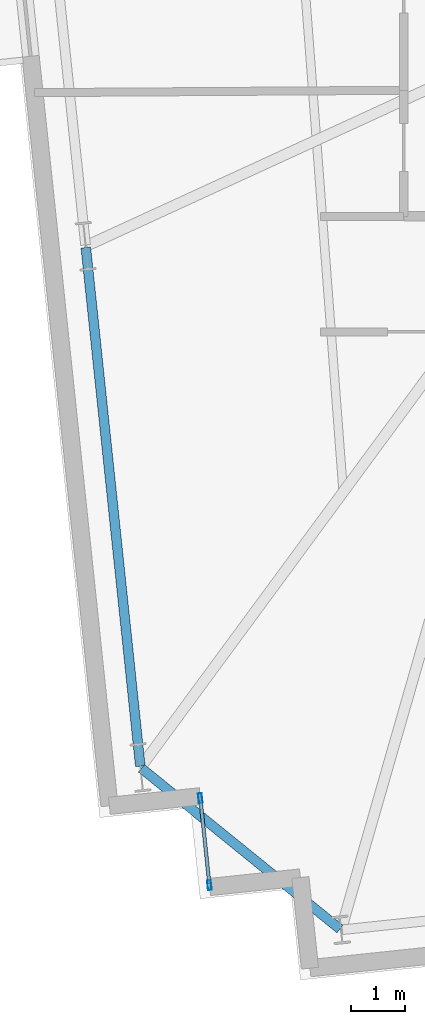
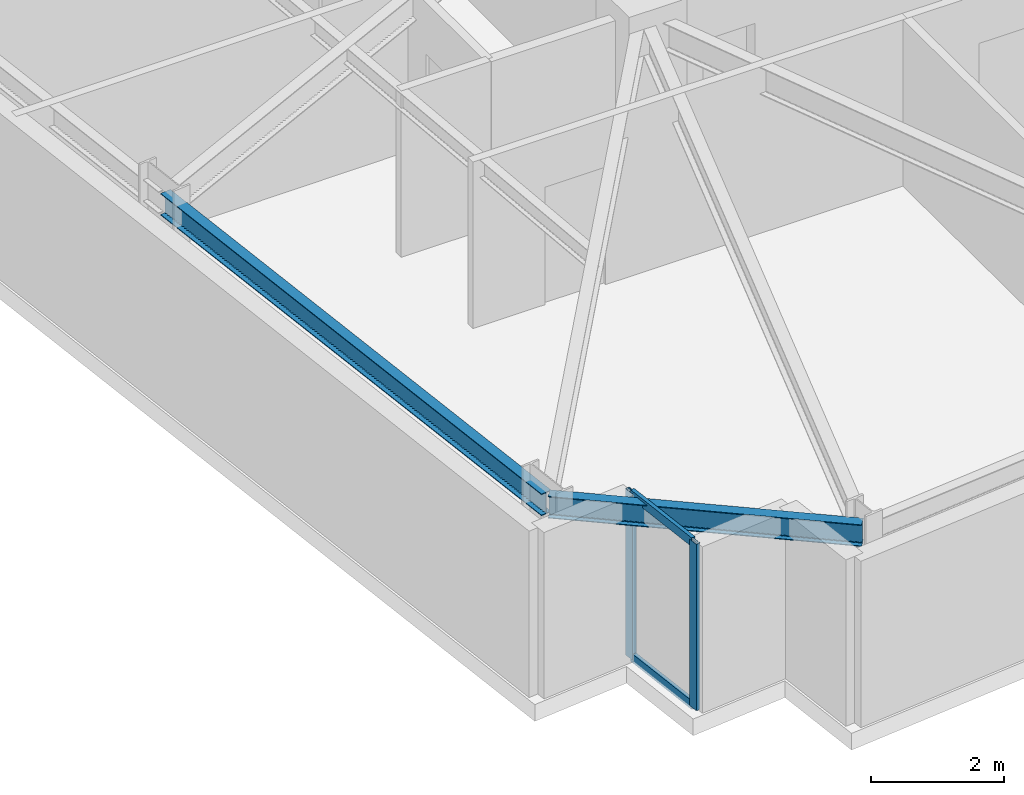
# One storey, part 4 of 22: 4 members, 2 beams, 1 element without a shape of its own.
"""IFC4 building model written with IfcOpenShell, lengths in metres."""

from ifc_helpers import new_model, si_unit, direction, frame, origin, origin_2d, place, context, subcontext, project, spatial, hollow_rectangle, i_section, extrude, material, layer, layer_set, material_profile, profile_set, type_object, element, aggregate, save


model = new_model("IFC4")

# Units and contexts
model_context = context("Model", 3, precision=1e-05, world=origin(), true_north=direction((0.0, 1.0)))
body_context = subcontext(model_context, "Body", "Model", "MODEL_VIEW")
ifc_project = project(units=[si_unit("LENGTHUNIT", "METRE"), si_unit("AREAUNIT", "SQUARE_METRE"), si_unit("VOLUMEUNIT", "CUBIC_METRE"), si_unit("PLANEANGLEUNIT", "RADIAN"), si_unit("MASSUNIT", "GRAM", prefix="KILO")], contexts=[model_context])

# Site, building, storey
site_placement = place(None, origin())
site = spatial("IfcSite", under=ifc_project, at=site_placement, CompositionType="ELEMENT")
building_placement = place(site_placement, origin())
building = spatial("IfcBuilding", under=site, at=building_placement, Name="Qobustan Lattice House", CompositionType="ELEMENT")
storey_placement = place(building_placement, frame((0.0, 0.0, 99.10009765625)))
storey = spatial("IfcBuildingStorey", under=building, at=storey_placement, Name="L27", CompositionType="ELEMENT", Elevation=99.10009765625)

# Beams
ifc_material_1 = material(Name="Steel S355", Category="steel")
ifc_material_profile_1 = material_profile(ifc_material_1, i_section(OverallWidth=0.179931640625, OverallDepth=0.39990234375, WebThickness=0.008544921875, FlangeThickness=0.013427734375, FilletRadius=0.02099609375, at=origin_2d()), Name="IPE400")
ifc_profile_set_1 = profile_set([ifc_material_profile_1], Name="Steel S355")
beam_type = type_object("IfcBeamType", Name="BM-SPD-IPE400", PredefinedType="SPANDREL", material=ifc_profile_set_1)
beam_1_placement = place(storey_placement, frame((-27.37451171875, -6.180908203125, 2.844970703125), z_axis=(0.104527826257, -0.994521962321, 0.0), x_axis=(0.994521962321, 0.104527826257, 0.0)))
element("IfcBeam", 1, at=beam_1_placement, inside=storey, type_object=beam_type, Name="L27 perimeter spandrel W3-W4", PredefinedType="SPANDREL", context=body_context, shape_type="SweptSolid", body=[
    extrude(i_section(OverallWidth=0.179931640625, OverallDepth=0.39990234375, WebThickness=0.008544921875, FlangeThickness=0.013427734375, FilletRadius=0.02099609375, at=origin_2d()), origin(), (0.0, 0.0, 1.0), 9.71630859375),
])
beam_2_placement = place(storey_placement, frame((-26.3369140625, -15.884765625, 2.844970703125), z_axis=(0.777140911545, -0.629326627121, 0.0), x_axis=(0.629326627121, 0.777140911545, 0.0)))
element("IfcBeam", 2, at=beam_2_placement, inside=storey, type_object=beam_type, Name="L27 perimeter spandrel W4-S1", PredefinedType="SPANDREL", context=body_context, shape_type="SweptSolid", body=[
    extrude(i_section(OverallWidth=0.179931640625, OverallDepth=0.39990234375, WebThickness=0.008544921875, FlangeThickness=0.013427734375, FilletRadius=0.02099609375, at=origin_2d()), origin(), (0.0, 0.0, 1.0), 4.758544921875),
])

# Curtain wall, members
ifc_material_2 = material(Name="Anodised aluminium and low-E glazing", Category="aluminium")
ifc_layer = layer(ifc_material_2, 0.219970703125)
ifc_layer_set = layer_set([ifc_layer], Name="Anodised aluminium and low-E glazing")
curtain_wall_type = type_object("IfcCurtainWallType", Name="CW-FAC-01", PredefinedType="USERDEFINED", material=ifc_layer_set)
curtain_wall_placement = place(storey_placement, origin())
curtain_wall = element("IfcCurtainWall", 3, at=curtain_wall_placement, inside=storey, type_object=curtain_wall_type, Name="L27 serrated corner faceted glazing 3", ObjectType="CURTAIN WALL", PredefinedType="USERDEFINED")
ifc_material_3 = material(Name="Anodised aluminium EN AW-6063 T6", Category="aluminium")
ifc_material_profile_2 = material_profile(ifc_material_3, hollow_rectangle(XDim=0.070068359375, YDim=0.179931640625, WallThickness=0.00439453125, at=origin_2d()), Name="CWM-180x70")
ifc_profile_set_2 = profile_set([ifc_material_profile_2], Name="Anodised aluminium EN AW-6063 T6")
member_type_1 = type_object("IfcMemberType", Name="CWM-STD-180", PredefinedType="MULLION", material=ifc_profile_set_2)
member_1_placement = place(storey_placement, frame((-25.070068359375, -18.0615234375, 0.0), z_axis=(0.0, 0.0, 1.0), x_axis=(-0.994521878892, -0.104528620025, 0.0)))
member_1 = element("IfcMember", 4, at=member_1_placement, type_object=member_type_1, Name="CW-F1 mullion 1", PredefinedType="MULLION", context=body_context, shape_type="SweptSolid", body=[
    extrude(hollow_rectangle(XDim=0.070068359375, YDim=0.179931640625, WallThickness=0.00439453125, at=origin_2d()), origin(), (0.0, 0.0, 1.0), 3.044921875),
])
member_2_placement = place(storey_placement, frame((-25.240234375, -16.4404296875, 0.0), z_axis=(0.0, 0.0, 1.0), x_axis=(-0.994521878892, -0.104528620025, 0.0)))
member_2 = element("IfcMember", 5, at=member_2_placement, type_object=member_type_1, Name="CW-F1 mullion 2", PredefinedType="MULLION", context=body_context, shape_type="SweptSolid", body=[
    extrude(hollow_rectangle(XDim=0.070068359375, YDim=0.179931640625, WallThickness=0.00439453125, at=origin_2d()), origin(), (0.0, 0.0, 1.0), 3.044921875),
])
ifc_material_4 = material(Name="Anodised aluminium EN AW-6063 T6", Category="aluminium")
ifc_material_profile_3 = material_profile(ifc_material_4, hollow_rectangle(XDim=0.06494140625, YDim=0.159912109375, WallThickness=0.00390625, at=origin_2d()), Name="CWT-160x65")
ifc_profile_set_3 = profile_set([ifc_material_profile_3], Name="Anodised aluminium EN AW-6063 T6")
member_type_2 = type_object("IfcMemberType", Name="CWT-HOR-160", PredefinedType="USERDEFINED", material=ifc_profile_set_3)
member_3_placement = place(storey_placement, frame((-25.07373046875, -18.02685546875, 0.032470703125), z_axis=(-0.104383362594, 0.994537135362, 0.0), x_axis=(-0.994537135362, -0.104383362594, 0.0)))
member_3 = element("IfcMember", 6, at=member_3_placement, type_object=member_type_2, Name="CW-F1 transom 1.1", ObjectType="TRANSOM", PredefinedType="USERDEFINED", context=body_context, shape_type="SweptSolid", body=[
    extrude(hollow_rectangle(XDim=0.06494140625, YDim=0.159912109375, WallThickness=0.00390625, at=origin_2d()), origin(), (0.0, 0.0, 1.0), 1.56005859375),
])
member_4_placement = place(storey_placement, frame((-25.07373046875, -18.02685546875, 3.012451171875), z_axis=(-0.104383362594, 0.994537135362, 0.0), x_axis=(-0.994537135362, -0.104383362594, 0.0)))
member_4 = element("IfcMember", 7, at=member_4_placement, type_object=member_type_2, Name="CW-F1 transom 1.2", ObjectType="TRANSOM", PredefinedType="USERDEFINED", context=body_context, shape_type="SweptSolid", body=[
    extrude(hollow_rectangle(XDim=0.06494140625, YDim=0.159912109375, WallThickness=0.00390625, at=origin_2d()), origin(), (0.0, 0.0, 1.0), 1.56005859375),
])
aggregate(curtain_wall, [member_1, member_2, member_3, member_4])

save(model, "model.ifc")
